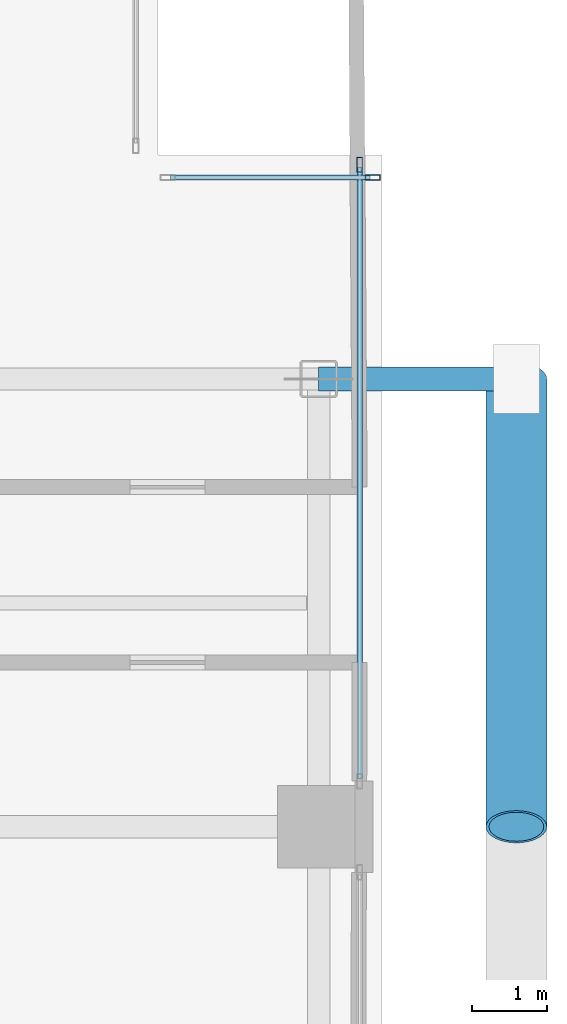
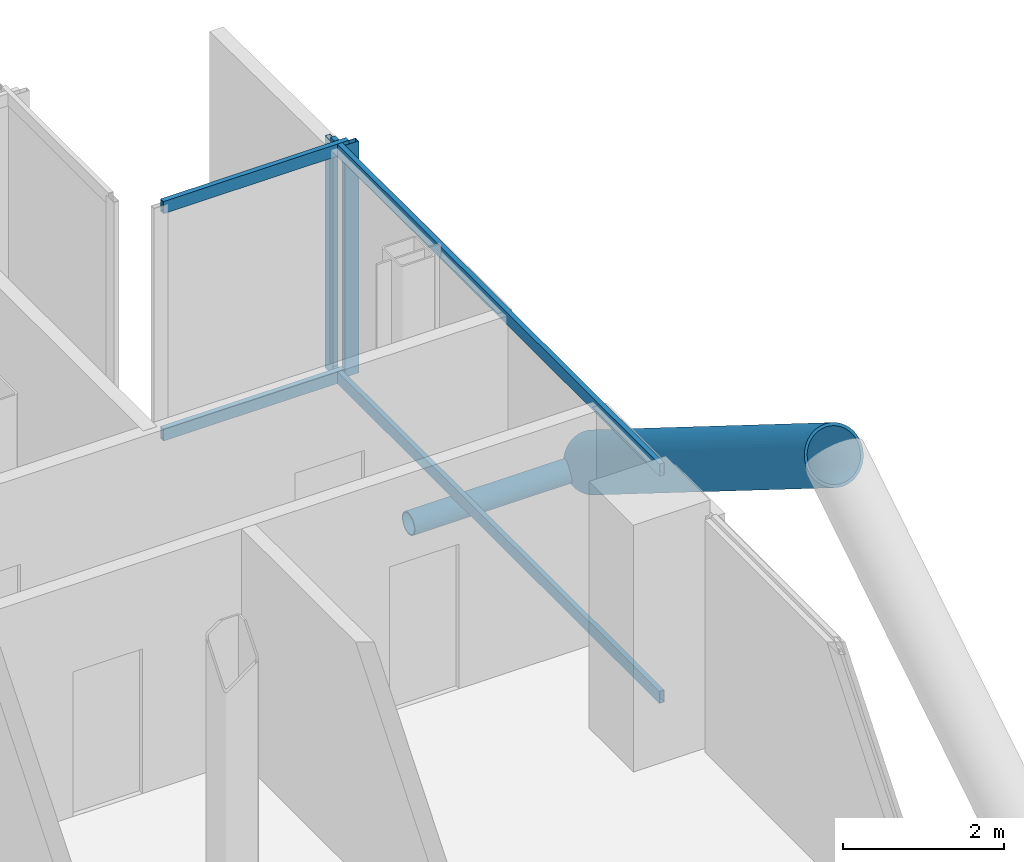
# One storey, part 14 of 28: 8 members, 2 elements without a shape of their own.
"""IFC4 building model written with IfcOpenShell, lengths in metres."""

from ifc_helpers import new_model, si_unit, direction, frame, origin, origin_2d, place, context, subcontext, project, spatial, hollow_rectangle, hollow_circle, extrude, material, layer, layer_set, material_profile, profile_set, type_object, element, aggregate, save


model = new_model("IFC4")

# Units and contexts
model_context = context("Model", 3, precision=1e-05, world=origin(), true_north=direction((0.0, 1.0)))
body_context = subcontext(model_context, "Body", "Model", "MODEL_VIEW")
ifc_project = project(units=[si_unit("LENGTHUNIT", "METRE"), si_unit("AREAUNIT", "SQUARE_METRE"), si_unit("VOLUMEUNIT", "CUBIC_METRE"), si_unit("PLANEANGLEUNIT", "RADIAN"), si_unit("MASSUNIT", "GRAM", prefix="KILO"), si_unit("THERMODYNAMICTEMPERATUREUNIT", "KELVIN"), si_unit("POWERUNIT", "WATT")], contexts=[model_context])

# Site, building, storey
site_placement = place(None, origin())
site = spatial("IfcSite", under=ifc_project, at=site_placement, CompositionType="ELEMENT")
building_placement = place(site_placement, origin())
building = spatial("IfcBuilding", under=site, at=building_placement, Name="Svarakhadi Broadcast Tower", CompositionType="ELEMENT")
storey_placement = place(building_placement, frame((0.0, 0.0, 119.39990234375)))
storey = spatial("IfcBuildingStorey", under=building, at=storey_placement, Name="L28", CompositionType="ELEMENT", Elevation=119.39990234375)

# Curtain wall, member
ifc_material_1 = material(Name="Anodised Bronze Aluminium AA 6063-T6", Category="aluminium")
ifc_layer = layer(ifc_material_1, 0.199951171875)
ifc_layer_set = layer_set([ifc_layer], Name="Anodised Bronze Aluminium AA 6063-T6")
curtain_wall_type = type_object("IfcCurtainWallType", Name="CW_Sys_03", PredefinedType="NOTDEFINED", material=ifc_layer_set)
curtain_wall_1_placement = place(storey_placement, origin())
curtain_wall_1 = element("IfcCurtainWall", 1, at=curtain_wall_1_placement, inside=storey, type_object=curtain_wall_type, Name="L28 Unitised Facade Curtain Wall 12", PredefinedType="NOTDEFINED")
ifc_material_profile_1 = material_profile(ifc_material_1, hollow_rectangle(XDim=0.074951171875, YDim=0.199951171875, WallThickness=0.005615234375, at=origin_2d()), Name="ALU MULLION 200x75x6")
ifc_profile_set_1 = profile_set([ifc_material_profile_1], Name="Anodised Bronze Aluminium AA 6063-T6")
member_type_1 = type_object("IfcMemberType", Name="CW_Sys_03_Mul", PredefinedType="MULLION", material=ifc_profile_set_1)
member_1_placement = place(storey_placement, frame((47.87255859375, 20.699951171875, 0.0), z_axis=(0.0, 0.0, 1.0), x_axis=(0.0, 1.0, 0.0)))
member_1 = element("IfcMember", 2, at=member_1_placement, type_object=member_type_1, Name="CW-03 mullion 2", PredefinedType="MULLION", context=body_context, shape_type="SweptSolid", body=[
    extrude(hollow_rectangle(XDim=0.074951171875, YDim=0.199951171875, WallThickness=0.005615234375, at=origin_2d()), origin(), (0.0, 0.0, 1.0), 3.525146484375),
])

curtain_wall_2_placement = place(storey_placement, origin())
curtain_wall_2 = element("IfcCurtainWall", 3, at=curtain_wall_2_placement, inside=storey, type_object=curtain_wall_type, Name="L28 Unitised Facade Curtain Wall 13 Bay 1", PredefinedType="NOTDEFINED")
member_2_placement = place(storey_placement, frame((47.699951171875, 20.87255859375, 0.0), z_axis=(0.0, 0.0, 1.0), x_axis=(1.0, 0.0, 0.0)))
member_2 = element("IfcMember", 4, at=member_2_placement, type_object=member_type_1, Name="CW-03 mullion 1", PredefinedType="MULLION", context=body_context, shape_type="SweptSolid", body=[
    extrude(hollow_rectangle(XDim=0.074951171875, YDim=0.199951171875, WallThickness=0.005615234375, at=origin_2d()), origin(), (0.0, 0.0, 1.0), 3.525146484375),
])

# Member
ifc_material_profile_2 = material_profile(ifc_material_1, hollow_rectangle(XDim=0.070068359375, YDim=0.18505859375, WallThickness=0.0048828125, at=origin_2d()), Name="ALU TRANSOM 185x70x5")
ifc_profile_set_2 = profile_set([ifc_material_profile_2], Name="Anodised Bronze Aluminium AA 6063-T6")
member_type_2 = type_object("IfcMemberType", Name="CW_Sys_03_Trn", PredefinedType="USERDEFINED", material=ifc_profile_set_2)
member_3_placement = place(storey_placement, frame((45.1650390625, 20.699951171875, 0.03515625), z_axis=(1.0, 0.0, 0.0), x_axis=(0.0, 1.0, 0.0)))
member_3 = element("IfcMember", 5, at=member_3_placement, type_object=member_type_2, Name="CW-03 transom 1.1", ObjectType="TRANSOM", PredefinedType="USERDEFINED", context=body_context, shape_type="SweptSolid", body=[
    extrude(hollow_rectangle(XDim=0.070068359375, YDim=0.18505859375, WallThickness=0.0048828125, at=origin_2d()), origin(), (0.0, 0.0, 1.0), 2.669921875),
])

member_4_placement = place(storey_placement, frame((45.1650390625, 20.699951171875, 3.489990234375), z_axis=(1.0, 0.0, 0.0), x_axis=(0.0, 1.0, 0.0)))
member_4 = element("IfcMember", 6, at=member_4_placement, type_object=member_type_2, Name="CW-03 transom 1.2", ObjectType="TRANSOM", PredefinedType="USERDEFINED", context=body_context, shape_type="SweptSolid", body=[
    extrude(hollow_rectangle(XDim=0.070068359375, YDim=0.18505859375, WallThickness=0.0048828125, at=origin_2d()), origin(), (0.0, 0.0, 1.0), 2.669921875),
])

aggregate(curtain_wall_1, [member_1, member_3, member_4])

member_5_placement = place(storey_placement, frame((47.699951171875, 20.8349609375, 0.03515625), z_axis=(0.0, -1.0, 0.0), x_axis=(1.0, 0.0, 0.0)))
member_5 = element("IfcMember", 7, at=member_5_placement, type_object=member_type_2, Name="CW-03 transom 1.1", ObjectType="TRANSOM", PredefinedType="USERDEFINED", context=body_context, shape_type="SweptSolid", body=[
    extrude(hollow_rectangle(XDim=0.070068359375, YDim=0.18505859375, WallThickness=0.0048828125, at=origin_2d()), origin(), (0.0, 0.0, 1.0), 8.18994140625),
])

member_6_placement = place(storey_placement, frame((47.699951171875, 20.8349609375, 3.489990234375), z_axis=(0.0, -1.0, 0.0), x_axis=(1.0, 0.0, 0.0)))
member_6 = element("IfcMember", 8, at=member_6_placement, type_object=member_type_2, Name="CW-03 transom 1.2", ObjectType="TRANSOM", PredefinedType="USERDEFINED", context=body_context, shape_type="SweptSolid", body=[
    extrude(hollow_rectangle(XDim=0.070068359375, YDim=0.18505859375, WallThickness=0.0048828125, at=origin_2d()), origin(), (0.0, 0.0, 1.0), 8.18994140625),
])

aggregate(curtain_wall_2, [member_2, member_5, member_6])

# Members
ifc_material_2 = material(Name="Steel S460ML (IS 2062 E450BR)", Category="steel")
ifc_material_profile_3 = material_profile(ifc_material_2, hollow_circle(Radius=0.406494140625, WallThickness=0.0400390625, at=origin_2d()), Name="CHS 813x40")
ifc_profile_set_3 = profile_set([ifc_material_profile_3], Name="Steel S460ML (IS 2062 E450BR)")
member_type_3 = type_object("IfcMemberType", Name="Exo_Brace_CHS813", PredefinedType="BRACE", material=ifc_profile_set_3)
member_7_placement = place(storey_placement, frame((49.800048828125, 18.0, -0.386962890625), z_axis=(0.0, -0.847998304005, 0.529998940003), x_axis=(1.0, 0.0, 0.0)))
element("IfcMember", 9, at=member_7_placement, inside=storey, type_object=member_type_3, Name="L28 Exposed Bronze Exoskeleton Diagonal E09", PredefinedType="BRACE", context=body_context, shape_type="SweptSolid", body=[
    extrude(hollow_circle(Radius=0.406494140625, WallThickness=0.0400390625, at=origin_2d()), origin(), (0.0, 0.0, 1.0), 7.075439453125),
])
ifc_material_profile_4 = material_profile(ifc_material_2, hollow_circle(Radius=0.161865234375, WallThickness=0.01611328125, at=origin_2d()), Name="CHS 323.9x16")
ifc_profile_set_4 = profile_set([ifc_material_profile_4], Name="Steel S460ML (IS 2062 E450BR)")
member_type_4 = type_object("IfcMemberType", Name="Exo_Radial_Strut_Z2", PredefinedType="STRUT", material=ifc_profile_set_4)
member_8_placement = place(storey_placement, frame((49.800048828125, 18.0, -0.386962890625), z_axis=(-1.0, 0.0, 0.0), x_axis=(0.0, -1.0, 0.0)))
element("IfcMember", 10, at=member_8_placement, inside=storey, type_object=member_type_4, Name="L28 Exoskeleton Radial Tie Strut E09", PredefinedType="STRUT", context=body_context, shape_type="SweptSolid", body=[
    extrude(hollow_circle(Radius=0.161865234375, WallThickness=0.01611328125, at=origin_2d()), origin(), (0.0, 0.0, 1.0), 2.650146484375),
])

save(model, "model.ifc")
